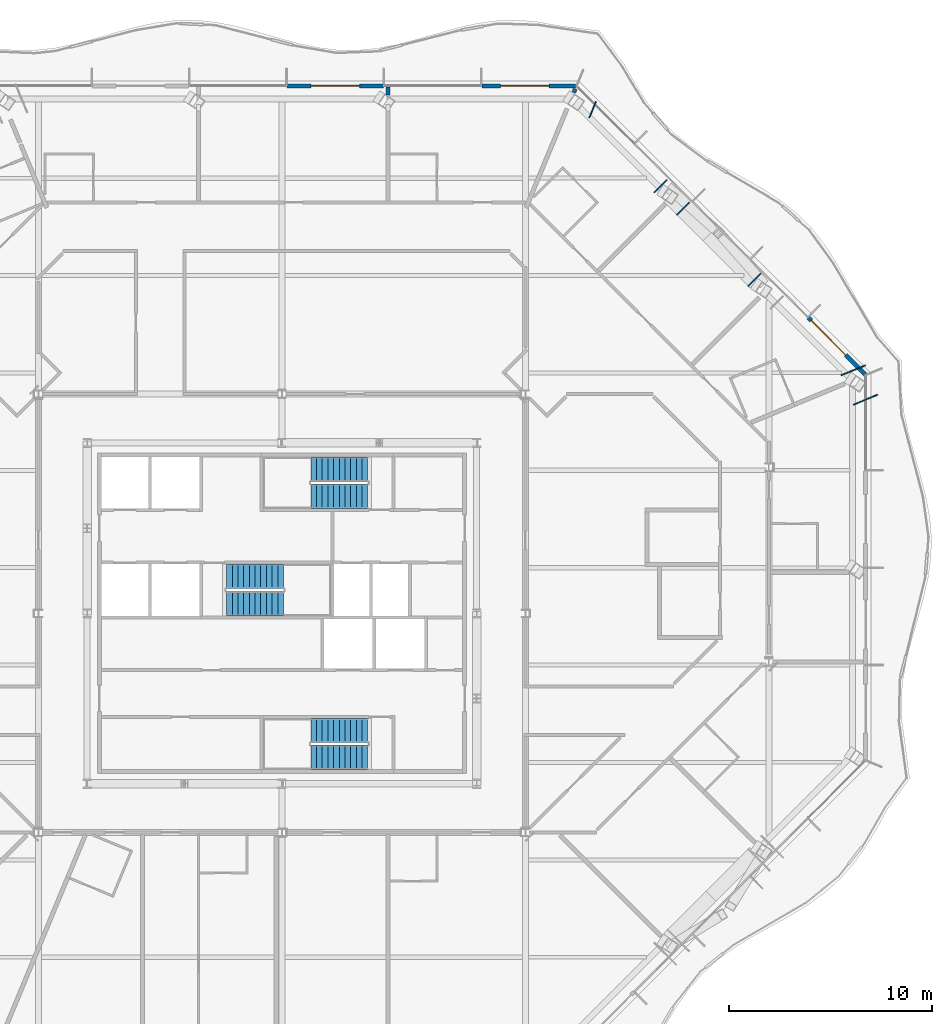
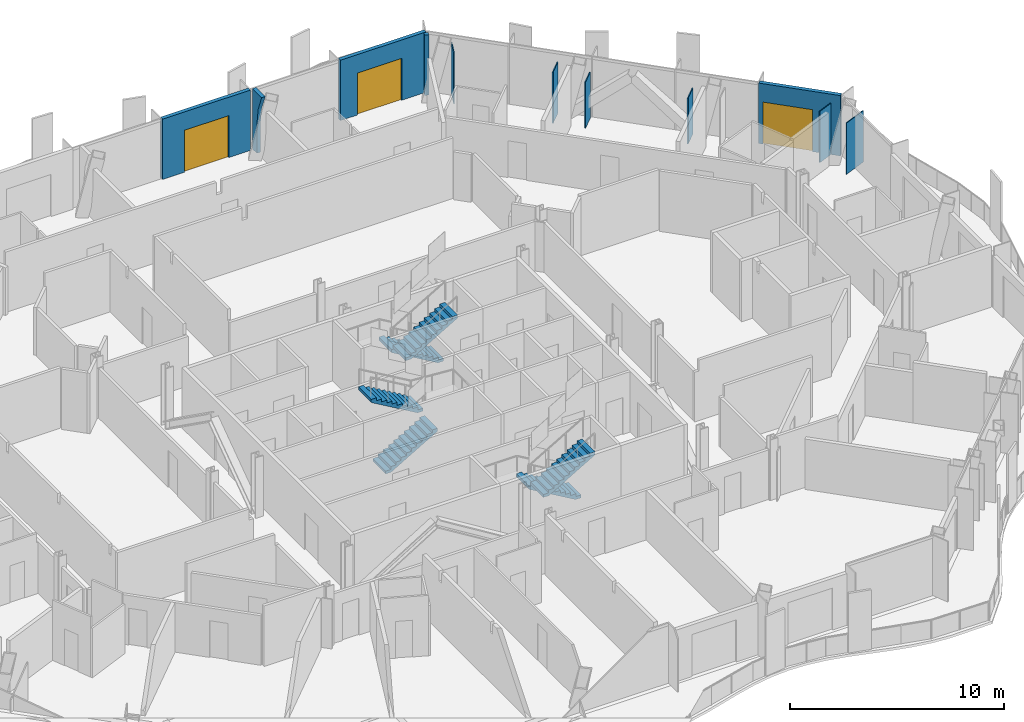
# One storey, part 14 of 22: 11 walls, 6 stair flights, 3 doors, 3 openings, 3 elements without a shape of their own.
"""IFC4 building model written with IfcOpenShell, lengths in metres."""

import ifcopenshell
import ifcopenshell.guid

model = None  # the IFC model being written
_history = None  # IfcOwnerHistory: only IFC2X3 demands one
_inside = {}  # id of a spatial element -> (the spatial element, [elements in it])
_under = {}  # id of a project, library or spatial element -> (it, [spatial elements below it])
_declared = {}  # id of a project -> (the project, [libraries it declares])
_typed = {}  # id of a type object -> (the type object, [elements of that type])
_made_of = {}  # id of a material, layer set ... -> (it, [elements and type objects made of it])


def new_model(schema):
    """Start an empty IFC model of exactly this schema.

    Asked for "IFC4X3", IfcOpenShell would pick the latest addendum, in which some entities
    have other attributes; the version numbers below select the first issue.
    IFC2X3 requires an IfcOwnerHistory on every rooted entity: one is made here for all.
    """
    global model, _history
    if schema == "IFC4X3":
        model = ifcopenshell.file(schema_version=(4, 3, 0, 0))
    else:
        model = ifcopenshell.file(schema=schema)
    _inside.clear()
    _under.clear()
    _declared.clear()
    _typed.clear()
    _made_of.clear()
    _history = None
    if model.schema == "IFC2X3":
        org = make("IfcOrganization", Name="unknown")
        user = make(
            "IfcPersonAndOrganization",
            ThePerson=make("IfcPerson", FamilyName="unknown"),
            TheOrganization=org,
        )
        app = make(
            "IfcApplication",
            ApplicationDeveloper=org,
            Version="unknown",
            ApplicationFullName="unknown",
            ApplicationIdentifier="unknown",
        )
        _history = make(
            "IfcOwnerHistory",
            OwningUser=user,
            OwningApplication=app,
            ChangeAction="ADDED",
            CreationDate=0,
        )
    return model


def make(cls, **values):
    """One entity of the class cls with the attributes given. An attribute that is None is left unset."""
    return model.create_entity(
        cls, **{name: value for name, value in values.items() if value is not None}
    )


def rooted(cls, **values):
    """An entity with a GlobalId (a new one), such as an element, a storey or a relation."""
    return make(cls, GlobalId=ifcopenshell.guid.new(), OwnerHistory=_history, **values)


def si_unit(unit_type, name, prefix=None):
    """IfcSIUnit, for example si_unit("LENGTHUNIT", "METRE", prefix="MILLI")."""
    return make("IfcSIUnit", UnitType=unit_type, Prefix=prefix, Name=name)


def assignment(units):
    """IfcUnitAssignment: the units of a project."""
    return None if units is None else make("IfcUnitAssignment", Units=units)


def point(xyz):
    """IfcCartesianPoint."""
    return None if xyz is None else make("IfcCartesianPoint", Coordinates=xyz)


def direction(xyz):
    """IfcDirection."""
    return None if xyz is None else make("IfcDirection", DirectionRatios=xyz)


def frame(location, z_axis=None, x_axis=None):
    """IfcAxis2Placement3D, a coordinate frame: its origin and axes. An axis left out is left unset."""
    return make(
        "IfcAxis2Placement3D",
        Location=point(location),
        Axis=direction(z_axis),
        RefDirection=direction(x_axis),
    )


def frame_2d(location, x_axis=None):
    """IfcAxis2Placement2D, a coordinate frame in the plane: its origin and x axis."""
    return make(
        "IfcAxis2Placement2D", Location=point(location), RefDirection=direction(x_axis)
    )


def origin():
    """The frame at (0, 0, 0) with its axes left unset."""
    return frame((0.0, 0.0, 0.0))


def place(relative_to, where):
    """IfcLocalPlacement: puts the frame where relative to a parent placement (None: the world)."""
    return make(
        "IfcLocalPlacement", PlacementRelTo=relative_to, RelativePlacement=where
    )


def context(
    kind, dimensions, precision=None, world=None, true_north=None, identifier=None
):
    """IfcGeometricRepresentationContext, for example the 3D "Model" context."""
    return make(
        "IfcGeometricRepresentationContext",
        ContextIdentifier=identifier,
        ContextType=kind,
        CoordinateSpaceDimension=dimensions,
        Precision=precision,
        WorldCoordinateSystem=world,
        TrueNorth=true_north,
    )


def subcontext(parent, identifier, kind, view, scale=None):
    """IfcGeometricRepresentationSubContext, for example "Body" below "Model"."""
    return make(
        "IfcGeometricRepresentationSubContext",
        ContextIdentifier=identifier,
        ContextType=kind,
        ParentContext=parent,
        TargetScale=scale,
        TargetView=view,
    )


def project(units=None, contexts=None):
    """IfcProject with its units and contexts."""
    return rooted(
        "IfcProject",
        Name="project",
        RepresentationContexts=contexts,
        UnitsInContext=assignment(units),
    )


def spatial(cls, under=None, at=None, **own):
    """A site, building, storey or space (cls), placed at a placement, below another one or the project."""
    s = rooted(cls, ObjectPlacement=at, **own)
    if under is not None:
        _under.setdefault(under.id(), (under, []))[1].append(s)
    return s


def polyline(points):
    """IfcPolyline through the points."""
    return make("IfcPolyline", Points=[point(p) for p in points])


def profile(cls, at=None, kind="AREA", **sizes):
    """A parametric profile (cls). Its sizes go by their IFC names, for example OverallWidth=200.0."""
    return make(cls, ProfileType=kind, Position=at, **sizes)


def rectangle(**sizes):
    """IfcRectangleProfileDef."""
    return profile("IfcRectangleProfileDef", **sizes)


def outline(outer, holes=None, kind="AREA"):
    """IfcArbitraryClosedProfileDef: a profile drawn as a closed curve; with holes, ...WithVoids."""
    if holes is None:
        return make("IfcArbitraryClosedProfileDef", ProfileType=kind, OuterCurve=outer)
    return make(
        "IfcArbitraryProfileDefWithVoids",
        ProfileType=kind,
        OuterCurve=outer,
        InnerCurves=holes,
    )


def extrude(swept, where, along, depth):
    """IfcExtrudedAreaSolid: the profile swept, set in the frame where, extruded along a direction by depth."""
    return make(
        "IfcExtrudedAreaSolid",
        SweptArea=swept,
        Position=where,
        ExtrudedDirection=direction(along),
        Depth=depth,
    )


def shape(context_of_items, identifier, shape_type, items):
    """IfcShapeRepresentation: the items that make up one representation, for example the "Body"."""
    return make(
        "IfcShapeRepresentation",
        ContextOfItems=context_of_items,
        RepresentationIdentifier=identifier,
        RepresentationType=shape_type,
        Items=items,
    )


def material(Name=None, Category=None):
    """IfcMaterial."""
    return make("IfcMaterial", Name=Name, Category=Category)


def layer(
    of_material, thickness, ventilated=None, Name=None, Category=None, Priority=None
):
    """IfcMaterialLayer: one layer of a wall or slab, of a material (None: an air gap)."""
    return make(
        "IfcMaterialLayer",
        Material=of_material,
        LayerThickness=thickness,
        IsVentilated=ventilated,
        Name=Name,
        Category=Category,
        Priority=Priority,
    )


def layer_set(layers, Name=None):
    """IfcMaterialLayerSet."""
    return make("IfcMaterialLayerSet", MaterialLayers=layers, LayerSetName=Name)


def made_of(thing, what):
    """Note that an element or type object is made of a material, layer set ...; save() writes the relation."""
    if what is not None:
        _made_of.setdefault(what.id(), (what, []))[1].append(thing)
    return thing


def type_object(cls, material=None, **own):
    """A type object (cls), such as IfcWallType, which elements share."""
    return made_of(rooted(cls, **own), material)


def element(
    cls,
    number,
    at=None,
    inside=None,
    cuts=None,
    type_object=None,
    material=None,
    context=None,
    identifier="Body",
    shape_type=None,
    held_by="IfcProductDefinitionShape",
    body=None,
    shapes=None,
    **own,
):
    """One element of the class cls, such as IfcWall. Its Tag is "e" and its number.

    at: its placement. inside: the storey or other place that contains it. cuts: it is an
    opening in that element (IfcRelVoidsElement). A single representation is given by context,
    identifier, shape_type and body (its items); several are given by shapes. held_by: the class
    of the entity that holds the representations. save() writes the other relations.
    """
    e = rooted(cls, Tag="e%d" % number, ObjectPlacement=at, **own)
    if body is not None:
        shapes = [shape(context, identifier, shape_type, body)]
    if shapes is not None:
        e.Representation = make(held_by, Representations=shapes)
    if inside is not None:
        _inside.setdefault(inside.id(), (inside, []))[1].append(e)
    if cuts is not None:
        rooted(
            "IfcRelVoidsElement", RelatingBuildingElement=cuts, RelatedOpeningElement=e
        )
    if type_object is not None:
        _typed.setdefault(type_object.id(), (type_object, []))[1].append(e)
    return made_of(e, material)


def fill(opening, filler):
    """IfcRelFillsElement: the door or window that sits in an opening."""
    return rooted(
        "IfcRelFillsElement",
        RelatingOpeningElement=opening,
        RelatedBuildingElement=filler,
    )


def aggregate(whole, parts):
    """IfcRelAggregates: a whole, such as a stair, and the parts it consists of."""
    return rooted("IfcRelAggregates", RelatingObject=whole, RelatedObjects=parts)


def save(model, path):
    """Write the relations noted so far, then the file.

    IfcRelAggregates (storeys below a building ...), IfcRelContainedInSpatialStructure (elements
    in a storey), IfcRelDefinesByType, IfcRelAssociatesMaterial and IfcRelDeclares: one each for
    every whole, place, type object, material and project.
    """
    for whole, parts in _under.values():
        aggregate(whole, parts)
    for where, things in _inside.values():
        rooted(
            "IfcRelContainedInSpatialStructure",
            RelatedElements=things,
            RelatingStructure=where,
        )
    for kind, things in _typed.values():
        rooted("IfcRelDefinesByType", RelatedObjects=things, RelatingType=kind)
    for what, things in _made_of.values():
        rooted("IfcRelAssociatesMaterial", RelatedObjects=things, RelatingMaterial=what)
    for by, libraries in _declared.values():
        rooted("IfcRelDeclares", RelatingContext=by, RelatedDefinitions=libraries)
    model.write(path)


model = new_model("IFC4")

# Units and contexts
model_context = context("Model", 3, precision=1e-05, world=origin(), true_north=direction((0.0, 1.0)))
body_context = subcontext(model_context, "Body", "Model", "MODEL_VIEW")
ifc_project = project(units=[si_unit("LENGTHUNIT", "METRE"), si_unit("AREAUNIT", "SQUARE_METRE"), si_unit("VOLUMEUNIT", "CUBIC_METRE"), si_unit("PLANEANGLEUNIT", "RADIAN"), si_unit("MASSUNIT", "GRAM", prefix="KILO")], contexts=[model_context])

# Site, building, storey
site_placement = place(None, origin())
site = spatial("IfcSite", under=ifc_project, at=site_placement, CompositionType="ELEMENT")
building_placement = place(site_placement, origin())
building = spatial("IfcBuilding", under=site, at=building_placement, Name="Cairn Pilgrim Tower", CompositionType="ELEMENT")
storey_placement = place(building_placement, frame((0.0, 0.0, 175.800048828125)))
storey = spatial("IfcBuildingStorey", under=building, at=storey_placement, Name="L44", CompositionType="ELEMENT", Elevation=175.800048828125)

# Wall, opening, door
ifc_material_1 = material(Name="Bronze anodised aluminium insulated sandwich panel with mineral wool fill", Category="aluminium")
ifc_layer_1 = layer(ifc_material_1, 0.199951171875)
ifc_layer_set_1 = layer_set([ifc_layer_1], Name="BRONZE INFILL FRAME WALL 200")
wall_type_1 = type_object("IfcWallType", Name="BRONZE INFILL FRAME WALL 200", PredefinedType="NOTDEFINED", material=ifc_layer_set_1)
wall_1_placement = place(storey_placement, frame((35.94677734375, 14.1748046875, 0.0), z_axis=(0.0, 0.0, 1.0), x_axis=(-0.707137595296, 0.707075965734, 0.0)))
wall_1 = element("IfcWall", 1, at=wall_1_placement, inside=storey, type_object=wall_type_1, Name="Bronze infill frame wall IW-NE1", PredefinedType="NOTDEFINED", context=body_context, shape_type="SweptSolid", body=[
    extrude(rectangle(XDim=3.96142578125, YDim=0.199951171875, at=frame_2d((1.980712890625, 0.0))), origin(), (0.0, 0.0, 1.0), 3.449951171875),
])
opening_1_placement = place(wall_1_placement, frame((1.361572265625, 0.0, 0.0)))
opening_1 = element("IfcOpeningElement", 2, at=opening_1_placement, cuts=wall_1, Name="Opening 4407B", PredefinedType="OPENING", context=body_context, shape_type="SweptSolid", body=[
    extrude(rectangle(XDim=2.39990234375, YDim=2.39990234375, at=frame_2d((1.199951171875, 1.199951171875))), frame((0.0, 0.10986328125, 0.0), z_axis=(0.0, -1.0, 0.0), x_axis=(1.0, 0.0, 0.0)), (0.0, 0.0, 1.0), 0.219970703125),
])
ifc_material_2 = material(Name="Bronze anodised aluminium frame with tinted low-E glass", Category="aluminium")
door_type = type_object("IfcDoorType", Name="BALCONY SLIDING DOOR 2400x2400", OperationType="DOUBLE_DOOR_SLIDING", PredefinedType="DOOR", material=ifc_material_2)
door_1_placement = place(opening_1_placement, origin())
door_1 = element("IfcDoor", 3, at=door_1_placement, inside=storey, type_object=door_type, Name="Balcony sliding door 4407B", OperationType="SINGLE_SWING_LEFT", OverallHeight=2.39990234375, OverallWidth=2.39990234375, PredefinedType="DOOR", context=body_context, shape_type="SweptSolid", body=[
    extrude(rectangle(XDim=2.39990234375, YDim=2.39990234375, at=frame_2d((1.199951171875, 1.199951171875))), frame((0.0, 0.02490234375, 0.0), z_axis=(0.0, -1.0, 0.0), x_axis=(1.0, 0.0, 0.0)), (0.0, 0.0, 1.0), 0.050048828125),
])
fill(opening_1, door_1)

wall_2_placement = place(storey_placement, frame((21.681396484375, 28.39990234375, 0.0), z_axis=(0.0, 0.0, 1.0), x_axis=(-1.0, 0.0, 0.0)))
wall_2 = element("IfcWall", 4, at=wall_2_placement, inside=storey, type_object=wall_type_1, Name="Bronze infill frame wall IW-N1", PredefinedType="NOTDEFINED", context=body_context, shape_type="SweptSolid", body=[
    extrude(rectangle(XDim=4.62646484375, YDim=0.199951171875, at=frame_2d((2.313232421875, 0.0))), origin(), (0.0, 0.0, 1.0), 3.449951171875),
])
opening_2_placement = place(wall_2_placement, frame((1.308349609375, 0.0, 0.0)))
opening_2 = element("IfcOpeningElement", 5, at=opening_2_placement, cuts=wall_2, Name="Opening 4410B", PredefinedType="OPENING", context=body_context, shape_type="SweptSolid", body=[
    extrude(rectangle(XDim=2.39990234375, YDim=2.39990234375, at=frame_2d((1.199951171875, 1.199951171875))), frame((0.0, 0.10986328125, 0.0), z_axis=(0.0, -1.0, 0.0), x_axis=(1.0, 0.0, 0.0)), (0.0, 0.0, 1.0), 0.219970703125),
])
door_2_placement = place(opening_2_placement, origin())
door_2 = element("IfcDoor", 6, at=door_2_placement, inside=storey, type_object=door_type, Name="Balcony sliding door 4410B", OperationType="SINGLE_SWING_LEFT", OverallHeight=2.39990234375, OverallWidth=2.39990234375, PredefinedType="DOOR", context=body_context, shape_type="SweptSolid", body=[
    extrude(rectangle(XDim=2.39990234375, YDim=2.39990234375, at=frame_2d((1.199951171875, 1.199951171875))), frame((0.0, 0.02490234375, 0.0), z_axis=(0.0, -1.0, 0.0), x_axis=(1.0, 0.0, 0.0)), (0.0, 0.0, 1.0), 0.050048828125),
])
fill(opening_2, door_2)

wall_3_placement = place(storey_placement, frame((12.195068359375, 28.39990234375, 0.0), z_axis=(0.0, 0.0, 1.0), x_axis=(-1.0, 0.0, 0.0)))
wall_3 = element("IfcWall", 7, at=wall_3_placement, inside=storey, type_object=wall_type_1, Name="Bronze infill frame wall IW-N3", PredefinedType="NOTDEFINED", context=body_context, shape_type="SweptSolid", body=[
    extrude(rectangle(XDim=4.739990234375, YDim=0.199951171875, at=frame_2d((2.3701171875, 0.0))), origin(), (0.0, 0.0, 1.0), 3.449951171875),
])
opening_3_placement = place(wall_3_placement, frame((1.169921875, 0.0, 0.0)))
opening_3 = element("IfcOpeningElement", 8, at=opening_3_placement, cuts=wall_3, Name="Opening 4411B", PredefinedType="OPENING", context=body_context, shape_type="SweptSolid", body=[
    extrude(rectangle(XDim=2.39990234375, YDim=2.39990234375, at=frame_2d((1.199951171875, 1.199951171875))), frame((0.0, 0.10986328125, 0.0), z_axis=(0.0, -1.0, 0.0), x_axis=(1.0, 0.0, 0.0)), (0.0, 0.0, 1.0), 0.219970703125),
])
door_3_placement = place(opening_3_placement, origin())
door_3 = element("IfcDoor", 9, at=door_3_placement, inside=storey, type_object=door_type, Name="Balcony sliding door 4411B", OperationType="SINGLE_SWING_LEFT", OverallHeight=2.39990234375, OverallWidth=2.39990234375, PredefinedType="DOOR", context=body_context, shape_type="SweptSolid", body=[
    extrude(rectangle(XDim=2.39990234375, YDim=2.39990234375, at=frame_2d((1.199951171875, 1.199951171875))), frame((0.0, 0.02490234375, 0.0), z_axis=(0.0, -1.0, 0.0), x_axis=(1.0, 0.0, 0.0)), (0.0, 0.0, 1.0), 0.050048828125),
])
fill(opening_3, door_3)

# Walls
ifc_material_3 = material(Name="Gypsum partition")
ifc_layer_2 = layer(ifc_material_3, 0.050048828125)
ifc_layer_set_2 = layer_set([ifc_layer_2], Name="PARTITION 50 DRYWALL EI 60")
wall_type_2 = type_object("IfcWallType", Name="PARTITION 50 DRYWALL EI 60", PredefinedType="PARTITIONING", material=ifc_layer_set_2)
for number, where, z_axis, x_axis, name in (
    (10, (35.36572265625, 12.68017578125, 0.0), (0.0, 0.0, 1.0), (0.923846419958, 0.382763363361, 0.0), "COLUMN CASING WC32"),
    (11, (34.765380859375, 14.129638671875, 0.0), (0.0, 0.0, 1.0), (0.923846419958, 0.382763363361, 0.0), "COLUMN CASING WC33"),
):
    element("IfcWall", number, at=place(storey_placement, frame(where, z_axis=z_axis, x_axis=x_axis)), inside=storey, type_object=wall_type_2, Name=name, PredefinedType="PARTITIONING", context=body_context, shape_type="SweptSolid", body=[
        extrude(rectangle(XDim=1.292236328125, YDim=0.050048828125, at=frame_2d((0.64599609375, 0.0))), origin(), (0.0, 0.0, 1.0), 2.929931640625),
    ])
wall_4_placement = place(storey_placement, frame((30.177490234375, 18.523193359375, 0.0), z_axis=(0.0, 0.0, 1.0), x_axis=(0.706966161367, 0.707247373047, 0.0)))
element("IfcWall", 12, at=wall_4_placement, inside=storey, type_object=wall_type_2, Name="COLUMN CASING WC38", PredefinedType="PARTITIONING", context=body_context, shape_type="SweptSolid", body=[
    extrude(rectangle(XDim=0.8681640625, YDim=0.050048828125, at=frame_2d((0.43408203125, 0.0))), origin(), (0.0, 0.0, 1.0), 2.6298828125),
])
wall_5_placement = place(storey_placement, frame((25.553466796875, 23.1474609375, 0.0), z_axis=(0.0, 0.0, 1.0), x_axis=(0.706966105416, 0.707247428976, 0.0)))
element("IfcWall", 13, at=wall_5_placement, inside=storey, type_object=wall_type_2, Name="COLUMN CASING WC41", PredefinedType="PARTITIONING", context=body_context, shape_type="SweptSolid", body=[
    extrude(rectangle(XDim=0.867919921875, YDim=0.050048828125, at=frame_2d((0.43408203125, 0.0))), origin(), (0.0, 0.0, 1.0), 2.929931640625),
])
wall_6_placement = place(storey_placement, frame((26.660888671875, 22.0400390625, 0.0), z_axis=(0.0, 0.0, 1.0), x_axis=(0.707106781187, 0.707106781187, 0.0)))
element("IfcWall", 14, at=wall_6_placement, inside=storey, type_object=wall_type_2, Name="COLUMN CASING WC42", PredefinedType="PARTITIONING", context=body_context, shape_type="SweptSolid", body=[
    extrude(rectangle(XDim=0.867919921875, YDim=0.050048828125, at=frame_2d((0.43408203125, 0.0))), origin(), (0.0, 0.0, 1.0), 2.6298828125),
])
wall_7_placement = place(storey_placement, frame((22.347412109375, 26.82568359375, 0.0), z_axis=(0.0, 0.0, 1.0), x_axis=(0.382551127662, 0.923934323815, 0.0)))
element("IfcWall", 15, at=wall_7_placement, inside=storey, type_object=wall_type_2, Name="COLUMN CASING WC45", PredefinedType="PARTITIONING", context=body_context, shape_type="SweptSolid", body=[
    extrude(rectangle(XDim=0.865478515625, YDim=0.050048828125, at=frame_2d((0.4326171875, 0.0))), origin(), (0.0, 0.0, 1.0), 2.929931640625),
])
ifc_layer_3 = layer(ifc_material_3, 0.199951171875)
ifc_layer_set_3 = layer_set([ifc_layer_3], Name="SHAFT WALL 200 GYPSUM EI 60")
wall_type_3 = type_object("IfcWallType", Name="SHAFT WALL 200 GYPSUM EI 60", PredefinedType="PARTITIONING", material=ifc_layer_set_3)
wall_8_placement = place(storey_placement, frame((12.43798828125, 27.497802734375, 0.0), z_axis=(0.0, 0.0, 1.0), x_axis=(0.0, 1.0, 0.0)))
element("IfcWall", 16, at=wall_8_placement, inside=storey, type_object=wall_type_3, Name="PARTITION W128", PredefinedType="PARTITIONING", context=body_context, shape_type="SweptSolid", body=[
    extrude(outline(polyline([(0.45458984375, 0.0), (0.855224609375, 0.0), (0.855224609375, 0.862548828125), (0.855224609375, 1.724853515625), (0.855224609375, 2.58740234375), (0.855224609375, 3.449951171875), (0.0, 3.449951171875), (0.330078125, 2.58740234375), (0.43798828125, 1.724853515625), (0.45458984375, 0.862548828125), (0.45458984375, 0.0)])), frame((0.0, 0.10009765625, 0.0), z_axis=(0.0, -1.0, 0.0), x_axis=(1.0, 0.0, 0.0)), (0.0, 0.0, 1.0), 0.199951171875),
])
wall_9_placement = place(storey_placement, frame((21.587646484375, 28.0771484375, 0.0), z_axis=(0.0, 0.0, 1.0), x_axis=(0.382572635919, 0.923925418119, 0.0)))
element("IfcWall", 17, at=wall_9_placement, inside=storey, type_object=wall_type_3, Name="PARTITION W130", PredefinedType="PARTITIONING", context=body_context, shape_type="SweptSolid", body=[
    extrude(rectangle(XDim=0.1953125, YDim=0.199951171875, at=frame_2d((0.09765625, 0.0))), origin(), (0.0, 0.0, 1.0), 3.449951171875),
])

# Stair, stair flights
ifc_material_4 = material(Name="Concrete C32/40", Category="concrete")
stair_type = type_object("IfcStairType", Name="EXIT STAIR 1200", PredefinedType="HALF_TURN_STAIR", material=ifc_material_4)
stair_1_placement = place(storey_placement, origin())
stair_1 = element("IfcStair", 18, at=stair_1_placement, inside=storey, type_object=stair_type, Name="L44 Exit Stair A", PredefinedType="HALF_TURN_STAIR")
stair_flight_type = type_object("IfcStairFlightType", Name="STAIR FLIGHT 1200", PredefinedType="STRAIGHT", material=ifc_material_4)
stair_flight_1_placement = place(storey_placement, frame((11.425048828125, -3.375, 0.0), z_axis=(0.0, 0.0, 1.0), x_axis=(-1.0, 0.0, 0.0)))
stair_flight_1 = element("IfcStairFlight", 19, at=stair_flight_1_placement, type_object=stair_flight_type, Name="ST-A flight 1", NumberOfRisers=11, NumberOfTreads=10, PredefinedType="STRAIGHT", RiserHeight=0.163636364, TreadLength=0.28, context=body_context, shape_type="SweptSolid", body=[
    extrude(outline(polyline([(0.0, 0.0), (0.0, 0.16357421875), (0.280029296875, 0.16357421875), (0.280029296875, 0.327392578125), (0.56005859375, 0.327392578125), (0.56005859375, 0.490966796875), (0.840087890625, 0.490966796875), (0.840087890625, 0.654541015625), (1.1201171875, 0.654541015625), (1.1201171875, 0.818115234375), (1.39990234375, 0.818115234375), (1.39990234375, 0.98193359375), (1.679931640625, 0.98193359375), (1.679931640625, 1.1455078125), (1.9599609375, 1.1455078125), (1.9599609375, 1.30908203125), (2.239990234375, 1.30908203125), (2.239990234375, 1.47265625), (2.52001953125, 1.47265625), (2.52001953125, 1.636474609375), (2.800048828125, 1.636474609375), (2.800048828125, 1.800048828125), (2.800048828125, 1.462646484375), (0.297119140625, 0.0), (0.0, 0.0)])), frame((0.0, 0.60009765625, 0.0), z_axis=(0.0, -1.0, 0.0), x_axis=(1.0, 0.0, 0.0)), (0.0, 0.0, 1.0), 1.199951171875),
])
stair_flight_2_placement = place(storey_placement, frame((8.625, -4.699951171875, 1.800048828125), z_axis=(0.0, 0.0, 1.0), x_axis=(1.0, 0.0, 0.0)))
stair_flight_2 = element("IfcStairFlight", 20, at=stair_flight_2_placement, type_object=stair_flight_type, Name="ST-A flight 2", NumberOfRisers=11, NumberOfTreads=10, PredefinedType="STRAIGHT", RiserHeight=0.163636364, TreadLength=0.28, context=body_context, shape_type="SweptSolid", body=[
    extrude(outline(polyline([(0.0, 0.0), (0.0, 0.16357421875), (0.280029296875, 0.16357421875), (0.280029296875, 0.327392578125), (0.56005859375, 0.327392578125), (0.56005859375, 0.490966796875), (0.840087890625, 0.490966796875), (0.840087890625, 0.654541015625), (1.1201171875, 0.654541015625), (1.1201171875, 0.818115234375), (1.39990234375, 0.818115234375), (1.39990234375, 0.98193359375), (1.679931640625, 0.98193359375), (1.679931640625, 1.1455078125), (1.9599609375, 1.1455078125), (1.9599609375, 1.30908203125), (2.239990234375, 1.30908203125), (2.239990234375, 1.47265625), (2.52001953125, 1.47265625), (2.52001953125, 1.636474609375), (2.800048828125, 1.636474609375), (2.800048828125, 1.800048828125), (2.800048828125, 1.462646484375), (0.297119140625, 0.0), (0.0, 0.0)])), frame((0.0, 0.60009765625, 0.0), z_axis=(0.0, -1.0, 0.0), x_axis=(1.0, 0.0, 0.0)), (0.0, 0.0, 1.0), 1.199951171875),
])
aggregate(stair_1, [stair_flight_1, stair_flight_2])

stair_2_placement = place(storey_placement, origin())
stair_2 = element("IfcStair", 21, at=stair_2_placement, inside=storey, type_object=stair_type, Name="L44 Exit Stair B", PredefinedType="HALF_TURN_STAIR")
stair_flight_3_placement = place(storey_placement, frame((4.47509765625, 2.875, 0.0), z_axis=(0.0, 0.0, 1.0), x_axis=(1.0, 0.0, 0.0)))
stair_flight_3 = element("IfcStairFlight", 22, at=stair_flight_3_placement, type_object=stair_flight_type, Name="ST-B flight 1", NumberOfRisers=11, NumberOfTreads=10, PredefinedType="STRAIGHT", RiserHeight=0.163636364, TreadLength=0.28, context=body_context, shape_type="SweptSolid", body=[
    extrude(outline(polyline([(0.0, 0.0), (0.0, 0.16357421875), (0.280029296875, 0.16357421875), (0.280029296875, 0.327392578125), (0.56005859375, 0.327392578125), (0.56005859375, 0.490966796875), (0.840087890625, 0.490966796875), (0.840087890625, 0.654541015625), (1.1201171875, 0.654541015625), (1.1201171875, 0.818115234375), (1.39990234375, 0.818115234375), (1.39990234375, 0.98193359375), (1.679931640625, 0.98193359375), (1.679931640625, 1.1455078125), (1.9599609375, 1.1455078125), (1.9599609375, 1.30908203125), (2.239990234375, 1.30908203125), (2.239990234375, 1.47265625), (2.52001953125, 1.47265625), (2.52001953125, 1.636474609375), (2.800048828125, 1.636474609375), (2.800048828125, 1.800048828125), (2.800048828125, 1.462646484375), (0.297119140625, 0.0), (0.0, 0.0)])), frame((0.0, 0.60009765625, 0.0), z_axis=(0.0, -1.0, 0.0), x_axis=(1.0, 0.0, 0.0)), (0.0, 0.0, 1.0), 1.199951171875),
])
stair_flight_4_placement = place(storey_placement, frame((7.27490234375, 4.22509765625, 1.800048828125), z_axis=(0.0, 0.0, 1.0), x_axis=(-1.0, 0.0, 0.0)))
stair_flight_4 = element("IfcStairFlight", 23, at=stair_flight_4_placement, type_object=stair_flight_type, Name="ST-B flight 2", NumberOfRisers=11, NumberOfTreads=10, PredefinedType="STRAIGHT", RiserHeight=0.163636364, TreadLength=0.28, context=body_context, shape_type="SweptSolid", body=[
    extrude(outline(polyline([(0.0, 0.0), (0.0, 0.16357421875), (0.280029296875, 0.16357421875), (0.280029296875, 0.327392578125), (0.56005859375, 0.327392578125), (0.56005859375, 0.490966796875), (0.840087890625, 0.490966796875), (0.840087890625, 0.654541015625), (1.1201171875, 0.654541015625), (1.1201171875, 0.818115234375), (1.39990234375, 0.818115234375), (1.39990234375, 0.98193359375), (1.679931640625, 0.98193359375), (1.679931640625, 1.1455078125), (1.9599609375, 1.1455078125), (1.9599609375, 1.30908203125), (2.239990234375, 1.30908203125), (2.239990234375, 1.47265625), (2.52001953125, 1.47265625), (2.52001953125, 1.636474609375), (2.800048828125, 1.636474609375), (2.800048828125, 1.800048828125), (2.800048828125, 1.462646484375), (0.297119140625, 0.0), (0.0, 0.0)])), frame((0.0, 0.60009765625, 0.0), z_axis=(0.0, -1.0, 0.0), x_axis=(1.0, 0.0, 0.0)), (0.0, 0.0, 1.0), 1.199951171875),
])
aggregate(stair_2, [stair_flight_3, stair_flight_4])

stair_3_placement = place(storey_placement, origin())
stair_3 = element("IfcStair", 24, at=stair_3_placement, inside=storey, type_object=stair_type, Name="L44 Exit Stair C", PredefinedType="HALF_TURN_STAIR")
stair_flight_5_placement = place(storey_placement, frame((11.425048828125, 9.5, 0.0), z_axis=(0.0, 0.0, 1.0), x_axis=(-1.0, 0.0, 0.0)))
stair_flight_5 = element("IfcStairFlight", 25, at=stair_flight_5_placement, type_object=stair_flight_type, Name="ST-C flight 1", NumberOfRisers=11, NumberOfTreads=10, PredefinedType="STRAIGHT", RiserHeight=0.163636364, TreadLength=0.28, context=body_context, shape_type="SweptSolid", body=[
    extrude(outline(polyline([(0.0, 0.0), (0.0, 0.16357421875), (0.280029296875, 0.16357421875), (0.280029296875, 0.327392578125), (0.56005859375, 0.327392578125), (0.56005859375, 0.490966796875), (0.840087890625, 0.490966796875), (0.840087890625, 0.654541015625), (1.1201171875, 0.654541015625), (1.1201171875, 0.818115234375), (1.39990234375, 0.818115234375), (1.39990234375, 0.98193359375), (1.679931640625, 0.98193359375), (1.679931640625, 1.1455078125), (1.9599609375, 1.1455078125), (1.9599609375, 1.30908203125), (2.239990234375, 1.30908203125), (2.239990234375, 1.47265625), (2.52001953125, 1.47265625), (2.52001953125, 1.636474609375), (2.800048828125, 1.636474609375), (2.800048828125, 1.800048828125), (2.800048828125, 1.462646484375), (0.297119140625, 0.0), (0.0, 0.0)])), frame((0.0, 0.60009765625, 0.0), z_axis=(0.0, -1.0, 0.0), x_axis=(1.0, 0.0, 0.0)), (0.0, 0.0, 1.0), 1.199951171875),
])
stair_flight_6_placement = place(storey_placement, frame((8.625, 8.175048828125, 1.800048828125), z_axis=(0.0, 0.0, 1.0), x_axis=(1.0, 0.0, 0.0)))
stair_flight_6 = element("IfcStairFlight", 26, at=stair_flight_6_placement, type_object=stair_flight_type, Name="ST-C flight 2", NumberOfRisers=11, NumberOfTreads=10, PredefinedType="STRAIGHT", RiserHeight=0.163636364, TreadLength=0.28, context=body_context, shape_type="SweptSolid", body=[
    extrude(outline(polyline([(0.0, 0.0), (0.0, 0.16357421875), (0.280029296875, 0.16357421875), (0.280029296875, 0.327392578125), (0.56005859375, 0.327392578125), (0.56005859375, 0.490966796875), (0.840087890625, 0.490966796875), (0.840087890625, 0.654541015625), (1.1201171875, 0.654541015625), (1.1201171875, 0.818115234375), (1.39990234375, 0.818115234375), (1.39990234375, 0.98193359375), (1.679931640625, 0.98193359375), (1.679931640625, 1.1455078125), (1.9599609375, 1.1455078125), (1.9599609375, 1.30908203125), (2.239990234375, 1.30908203125), (2.239990234375, 1.47265625), (2.52001953125, 1.47265625), (2.52001953125, 1.636474609375), (2.800048828125, 1.636474609375), (2.800048828125, 1.800048828125), (2.800048828125, 1.462646484375), (0.297119140625, 0.0), (0.0, 0.0)])), frame((0.0, 0.60009765625, 0.0), z_axis=(0.0, -1.0, 0.0), x_axis=(1.0, 0.0, 0.0)), (0.0, 0.0, 1.0), 1.199951171875),
])
aggregate(stair_3, [stair_flight_5, stair_flight_6])

save(model, "model.ifc")
